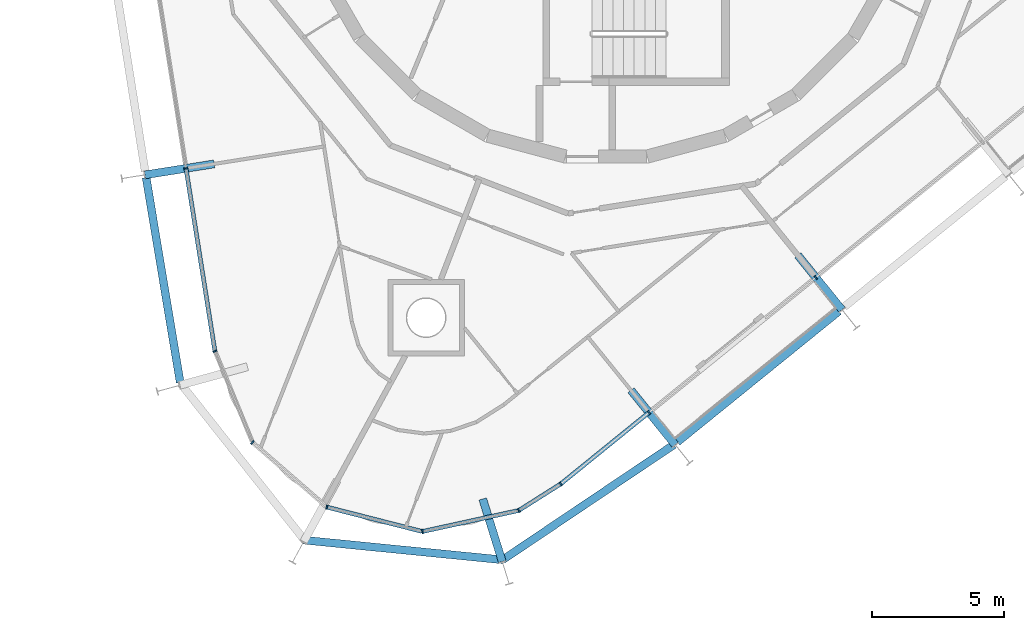
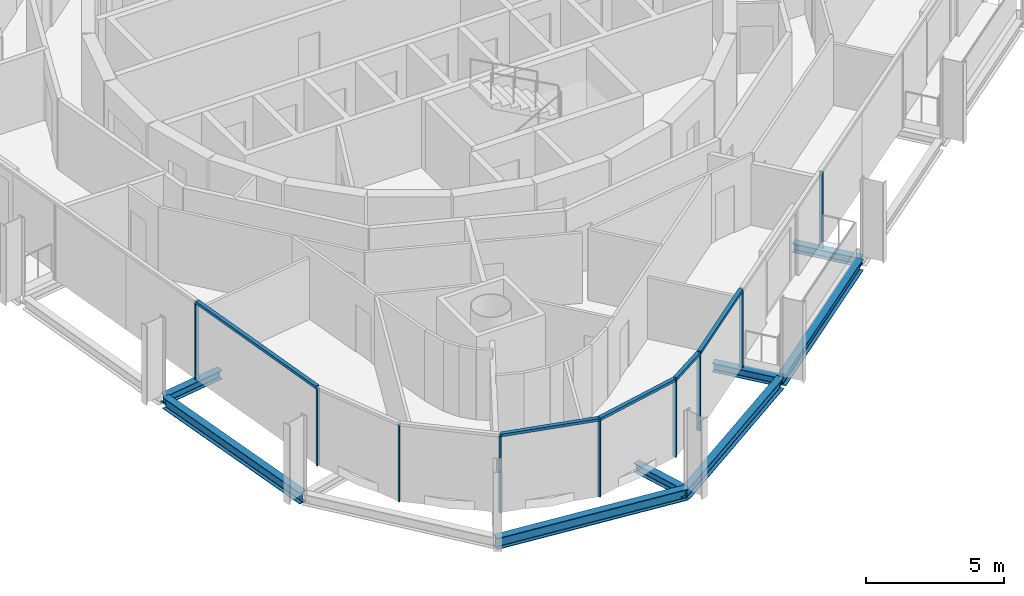
# One storey, part 2 of 17: 14 members, 8 beams, 2 elements without a shape of their own.
"""IFC4 building model written with IfcOpenShell, lengths in metres."""

import ifcopenshell
import ifcopenshell.guid

model = None  # the IFC model being written
_history = None  # IfcOwnerHistory: only IFC2X3 demands one
_inside = {}  # id of a spatial element -> (the spatial element, [elements in it])
_under = {}  # id of a project, library or spatial element -> (it, [spatial elements below it])
_declared = {}  # id of a project -> (the project, [libraries it declares])
_typed = {}  # id of a type object -> (the type object, [elements of that type])
_made_of = {}  # id of a material, layer set ... -> (it, [elements and type objects made of it])


def new_model(schema):
    """Start an empty IFC model of exactly this schema.

    Asked for "IFC4X3", IfcOpenShell would pick the latest addendum, in which some entities
    have other attributes; the version numbers below select the first issue.
    IFC2X3 requires an IfcOwnerHistory on every rooted entity: one is made here for all.
    """
    global model, _history
    if schema == "IFC4X3":
        model = ifcopenshell.file(schema_version=(4, 3, 0, 0))
    else:
        model = ifcopenshell.file(schema=schema)
    _inside.clear()
    _under.clear()
    _declared.clear()
    _typed.clear()
    _made_of.clear()
    _history = None
    if model.schema == "IFC2X3":
        org = make("IfcOrganization", Name="unknown")
        user = make(
            "IfcPersonAndOrganization",
            ThePerson=make("IfcPerson", FamilyName="unknown"),
            TheOrganization=org,
        )
        app = make(
            "IfcApplication",
            ApplicationDeveloper=org,
            Version="unknown",
            ApplicationFullName="unknown",
            ApplicationIdentifier="unknown",
        )
        _history = make(
            "IfcOwnerHistory",
            OwningUser=user,
            OwningApplication=app,
            ChangeAction="ADDED",
            CreationDate=0,
        )
    return model


def make(cls, **values):
    """One entity of the class cls with the attributes given. An attribute that is None is left unset."""
    return model.create_entity(
        cls, **{name: value for name, value in values.items() if value is not None}
    )


def rooted(cls, **values):
    """An entity with a GlobalId (a new one), such as an element, a storey or a relation."""
    return make(cls, GlobalId=ifcopenshell.guid.new(), OwnerHistory=_history, **values)


def si_unit(unit_type, name, prefix=None):
    """IfcSIUnit, for example si_unit("LENGTHUNIT", "METRE", prefix="MILLI")."""
    return make("IfcSIUnit", UnitType=unit_type, Prefix=prefix, Name=name)


def assignment(units):
    """IfcUnitAssignment: the units of a project."""
    return None if units is None else make("IfcUnitAssignment", Units=units)


def point(xyz):
    """IfcCartesianPoint."""
    return None if xyz is None else make("IfcCartesianPoint", Coordinates=xyz)


def direction(xyz):
    """IfcDirection."""
    return None if xyz is None else make("IfcDirection", DirectionRatios=xyz)


def frame(location, z_axis=None, x_axis=None):
    """IfcAxis2Placement3D, a coordinate frame: its origin and axes. An axis left out is left unset."""
    return make(
        "IfcAxis2Placement3D",
        Location=point(location),
        Axis=direction(z_axis),
        RefDirection=direction(x_axis),
    )


def frame_2d(location, x_axis=None):
    """IfcAxis2Placement2D, a coordinate frame in the plane: its origin and x axis."""
    return make(
        "IfcAxis2Placement2D", Location=point(location), RefDirection=direction(x_axis)
    )


def origin():
    """The frame at (0, 0, 0) with its axes left unset."""
    return frame((0.0, 0.0, 0.0))


def origin_2d():
    """The frame at (0, 0) in the plane with its x axis left unset."""
    return frame_2d((0.0, 0.0))


def place(relative_to, where):
    """IfcLocalPlacement: puts the frame where relative to a parent placement (None: the world)."""
    return make(
        "IfcLocalPlacement", PlacementRelTo=relative_to, RelativePlacement=where
    )


def context(
    kind, dimensions, precision=None, world=None, true_north=None, identifier=None
):
    """IfcGeometricRepresentationContext, for example the 3D "Model" context."""
    return make(
        "IfcGeometricRepresentationContext",
        ContextIdentifier=identifier,
        ContextType=kind,
        CoordinateSpaceDimension=dimensions,
        Precision=precision,
        WorldCoordinateSystem=world,
        TrueNorth=true_north,
    )


def subcontext(parent, identifier, kind, view, scale=None):
    """IfcGeometricRepresentationSubContext, for example "Body" below "Model"."""
    return make(
        "IfcGeometricRepresentationSubContext",
        ContextIdentifier=identifier,
        ContextType=kind,
        ParentContext=parent,
        TargetScale=scale,
        TargetView=view,
    )


def project(units=None, contexts=None):
    """IfcProject with its units and contexts."""
    return rooted(
        "IfcProject",
        Name="project",
        RepresentationContexts=contexts,
        UnitsInContext=assignment(units),
    )


def spatial(cls, under=None, at=None, **own):
    """A site, building, storey or space (cls), placed at a placement, below another one or the project."""
    s = rooted(cls, ObjectPlacement=at, **own)
    if under is not None:
        _under.setdefault(under.id(), (under, []))[1].append(s)
    return s


def profile(cls, at=None, kind="AREA", **sizes):
    """A parametric profile (cls). Its sizes go by their IFC names, for example OverallWidth=200.0."""
    return make(cls, ProfileType=kind, Position=at, **sizes)


def rectangle(**sizes):
    """IfcRectangleProfileDef."""
    return profile("IfcRectangleProfileDef", **sizes)


def i_section(**sizes):
    """IfcIShapeProfileDef."""
    return profile("IfcIShapeProfileDef", **sizes)


def extrude(swept, where, along, depth):
    """IfcExtrudedAreaSolid: the profile swept, set in the frame where, extruded along a direction by depth."""
    return make(
        "IfcExtrudedAreaSolid",
        SweptArea=swept,
        Position=where,
        ExtrudedDirection=direction(along),
        Depth=depth,
    )


def shape(context_of_items, identifier, shape_type, items):
    """IfcShapeRepresentation: the items that make up one representation, for example the "Body"."""
    return make(
        "IfcShapeRepresentation",
        ContextOfItems=context_of_items,
        RepresentationIdentifier=identifier,
        RepresentationType=shape_type,
        Items=items,
    )


def material(Name=None, Category=None):
    """IfcMaterial."""
    return make("IfcMaterial", Name=Name, Category=Category)


def layer(
    of_material, thickness, ventilated=None, Name=None, Category=None, Priority=None
):
    """IfcMaterialLayer: one layer of a wall or slab, of a material (None: an air gap)."""
    return make(
        "IfcMaterialLayer",
        Material=of_material,
        LayerThickness=thickness,
        IsVentilated=ventilated,
        Name=Name,
        Category=Category,
        Priority=Priority,
    )


def layer_set(layers, Name=None):
    """IfcMaterialLayerSet."""
    return make("IfcMaterialLayerSet", MaterialLayers=layers, LayerSetName=Name)


def material_profile(
    of_material, cross_section, Name=None, Category=None, Priority=None
):
    """IfcMaterialProfile: a cross section and its material."""
    return make(
        "IfcMaterialProfile",
        Name=Name,
        Material=of_material,
        Profile=cross_section,
        Priority=Priority,
        Category=Category,
    )


def profile_set(profiles, Name=None, composite=None):
    """IfcMaterialProfileSet."""
    return make(
        "IfcMaterialProfileSet",
        Name=Name,
        MaterialProfiles=profiles,
        CompositeProfile=composite,
    )


def made_of(thing, what):
    """Note that an element or type object is made of a material, layer set ...; save() writes the relation."""
    if what is not None:
        _made_of.setdefault(what.id(), (what, []))[1].append(thing)
    return thing


def type_object(cls, material=None, **own):
    """A type object (cls), such as IfcWallType, which elements share."""
    return made_of(rooted(cls, **own), material)


def element(
    cls,
    number,
    at=None,
    inside=None,
    cuts=None,
    type_object=None,
    material=None,
    context=None,
    identifier="Body",
    shape_type=None,
    held_by="IfcProductDefinitionShape",
    body=None,
    shapes=None,
    **own,
):
    """One element of the class cls, such as IfcWall. Its Tag is "e" and its number.

    at: its placement. inside: the storey or other place that contains it. cuts: it is an
    opening in that element (IfcRelVoidsElement). A single representation is given by context,
    identifier, shape_type and body (its items); several are given by shapes. held_by: the class
    of the entity that holds the representations. save() writes the other relations.
    """
    e = rooted(cls, Tag="e%d" % number, ObjectPlacement=at, **own)
    if body is not None:
        shapes = [shape(context, identifier, shape_type, body)]
    if shapes is not None:
        e.Representation = make(held_by, Representations=shapes)
    if inside is not None:
        _inside.setdefault(inside.id(), (inside, []))[1].append(e)
    if cuts is not None:
        rooted(
            "IfcRelVoidsElement", RelatingBuildingElement=cuts, RelatedOpeningElement=e
        )
    if type_object is not None:
        _typed.setdefault(type_object.id(), (type_object, []))[1].append(e)
    return made_of(e, material)


def aggregate(whole, parts):
    """IfcRelAggregates: a whole, such as a stair, and the parts it consists of."""
    return rooted("IfcRelAggregates", RelatingObject=whole, RelatedObjects=parts)


def save(model, path):
    """Write the relations noted so far, then the file.

    IfcRelAggregates (storeys below a building ...), IfcRelContainedInSpatialStructure (elements
    in a storey), IfcRelDefinesByType, IfcRelAssociatesMaterial and IfcRelDeclares: one each for
    every whole, place, type object, material and project.
    """
    for whole, parts in _under.values():
        aggregate(whole, parts)
    for where, things in _inside.values():
        rooted(
            "IfcRelContainedInSpatialStructure",
            RelatedElements=things,
            RelatingStructure=where,
        )
    for kind, things in _typed.values():
        rooted("IfcRelDefinesByType", RelatedObjects=things, RelatingType=kind)
    for what, things in _made_of.values():
        rooted("IfcRelAssociatesMaterial", RelatedObjects=things, RelatingMaterial=what)
    for by, libraries in _declared.values():
        rooted("IfcRelDeclares", RelatingContext=by, RelatedDefinitions=libraries)
    model.write(path)


model = new_model("IFC4")

# Units and contexts
model_context = context("Model", 3, precision=1e-05, world=origin(), true_north=direction((0.0, 1.0)))
body_context = subcontext(model_context, "Body", "Model", "MODEL_VIEW")
ifc_project = project(units=[si_unit("LENGTHUNIT", "METRE"), si_unit("AREAUNIT", "SQUARE_METRE"), si_unit("VOLUMEUNIT", "CUBIC_METRE"), si_unit("PLANEANGLEUNIT", "RADIAN"), si_unit("MASSUNIT", "GRAM", prefix="KILO")], contexts=[model_context])

# Site, building, storey
site_placement = place(None, origin())
site = spatial("IfcSite", under=ifc_project, at=site_placement, CompositionType="ELEMENT")
building_placement = place(site_placement, origin())
building = spatial("IfcBuilding", under=site, at=building_placement, Name="Spindle Arch Residences", CompositionType="ELEMENT")
storey_placement = place(building_placement, frame((0.0, 0.0, 270.39990234375)))
storey = spatial("IfcBuildingStorey", under=building, at=storey_placement, Name="L69", CompositionType="ELEMENT", Elevation=270.39990234375)

# Curtain wall, members
ifc_material_1 = material(Name="Aluminium bronze unitised frame with tinted glass", Category="aluminium")
ifc_layer_1 = layer(ifc_material_1, 0.159912109375)
ifc_layer_set_1 = layer_set([ifc_layer_1], Name="CW-D corner wall on the fillet arcs")
curtain_wall_type_1 = type_object("IfcCurtainWallType", Name="CW-D corner wall on the fillet arcs", PredefinedType="NOTDEFINED", material=ifc_layer_set_1)
curtain_wall_1_placement = place(storey_placement, origin())
curtain_wall_1 = element("IfcCurtainWall", 1, at=curtain_wall_1_placement, inside=storey, type_object=curtain_wall_type_1, Name="CW-D L69 run 5", PredefinedType="NOTDEFINED")
ifc_material_2 = material(Name="Aluminium bronze anodised mullion", Category="aluminium")
ifc_material_profile_1 = material_profile(ifc_material_2, rectangle(XDim=0.159912109375, YDim=0.06005859375, at=origin_2d()), Name="MU 60x160")
ifc_profile_set_1 = profile_set([ifc_material_profile_1], Name="Aluminium bronze anodised mullion")
member_type_1 = type_object("IfcMemberType", Name="Bronze mullion 60x160", PredefinedType="MULLION", material=ifc_profile_set_1)
member_1_placement = place(storey_placement, frame((-15.880615234375, -12.092041015625, -0.3798828125), z_axis=(0.0, 0.0, 1.0), x_axis=(0.987688340595, 0.15643446504, 0.0)))
member_1 = element("IfcMember", 2, at=member_1_placement, type_object=member_type_1, Name="CW-D mullion 00", PredefinedType="MULLION", context=body_context, shape_type="SweptSolid", body=[
    extrude(rectangle(XDim=0.159912109375, YDim=0.06005859375, at=origin_2d()), origin(), (0.0, 0.0, 1.0), 3.3798828125),
])
member_2_placement = place(storey_placement, frame((-14.787109375, -18.99560546875, -0.3798828125), z_axis=(0.0, 0.0, 1.0), x_axis=(0.92498880334, 0.379994360085, 0.0)))
member_2 = element("IfcMember", 3, at=member_2_placement, type_object=member_type_1, Name="CW-D mullion 01", PredefinedType="MULLION", context=body_context, shape_type="SweptSolid", body=[
    extrude(rectangle(XDim=0.159912109375, YDim=0.06005859375, at=origin_2d()), origin(), (0.0, 0.0, 1.0), 3.3798828125),
])
member_3_placement = place(storey_placement, frame((-13.370849609375, -22.44287109375, -0.3798828125), z_axis=(0.0, 0.0, 1.0), x_axis=(0.656059025711, 0.754709583074, 0.0)))
member_3 = element("IfcMember", 4, at=member_3_placement, type_object=member_type_1, Name="CW-D mullion 02", PredefinedType="MULLION", context=body_context, shape_type="SweptSolid", body=[
    extrude(rectangle(XDim=0.159912109375, YDim=0.06005859375, at=origin_2d()), origin(), (0.0, 0.0, 1.0), 3.3798828125),
])
member_4_placement = place(storey_placement, frame((-10.558349609375, -24.887939453125, -0.3798828125), z_axis=(0.0, 0.0, 1.0), x_axis=(0.247562720743, 0.968871869392, 0.0)))
member_4 = element("IfcMember", 5, at=member_4_placement, type_object=member_type_1, Name="CW-D mullion 03", PredefinedType="MULLION", context=body_context, shape_type="SweptSolid", body=[
    extrude(rectangle(XDim=0.159912109375, YDim=0.06005859375, at=origin_2d()), origin(), (0.0, 0.0, 1.0), 3.3798828125),
])
member_5_placement = place(storey_placement, frame((-6.947509765625, -25.810546875, -0.3798828125), z_axis=(0.0, 0.0, 1.0), x_axis=(-0.213598770213, 0.976921473489, 0.0)))
member_5 = element("IfcMember", 6, at=member_5_placement, type_object=member_type_1, Name="CW-D mullion 04", PredefinedType="MULLION", context=body_context, shape_type="SweptSolid", body=[
    extrude(rectangle(XDim=0.159912109375, YDim=0.06005859375, at=origin_2d()), origin(), (0.0, 0.0, 1.0), 3.3798828125),
])
member_6_placement = place(storey_placement, frame((-3.306884765625, -25.014404296875, -0.3798828125), z_axis=(0.0, 0.0, 1.0), x_axis=(-0.53484401224, 0.844950816658, 0.0)))
member_6 = element("IfcMember", 7, at=member_6_placement, type_object=member_type_1, Name="CW-D mullion 05", PredefinedType="MULLION", context=body_context, shape_type="SweptSolid", body=[
    extrude(rectangle(XDim=0.159912109375, YDim=0.06005859375, at=origin_2d()), origin(), (0.0, 0.0, 1.0), 3.3798828125),
])
member_7_placement = place(storey_placement, frame((-1.7216796875, -24.010986328125, -0.3798828125), z_axis=(0.0, 0.0, 1.0), x_axis=(-0.62932039105, 0.777145961457, 0.0)))
member_7 = element("IfcMember", 8, at=member_7_placement, type_object=member_type_1, Name="CW-D mullion 06", PredefinedType="MULLION", context=body_context, shape_type="SweptSolid", body=[
    extrude(rectangle(XDim=0.159912109375, YDim=0.06005859375, at=origin_2d()), origin(), (0.0, 0.0, 1.0), 3.3798828125),
])

ifc_material_3 = material(Name="Aluminium bronze unitised frame with tinted glass", Category="aluminium")
ifc_layer_2 = layer(ifc_material_3, 0.159912109375)
ifc_layer_set_2 = layer_set([ifc_layer_2], Name="CW-C typical residential unitised wall")
curtain_wall_type_2 = type_object("IfcCurtainWallType", Name="CW-C typical residential unitised wall", PredefinedType="NOTDEFINED", material=ifc_layer_set_2)
curtain_wall_2_placement = place(storey_placement, origin())
curtain_wall_2 = element("IfcCurtainWall", 9, at=curtain_wall_2_placement, inside=storey, type_object=curtain_wall_type_2, Name="CW-C L69 run 6", PredefinedType="NOTDEFINED")
member_8_placement = place(storey_placement, frame((1.610107421875, -21.31298828125, -0.3798828125), z_axis=(0.0, 0.0, 1.0), x_axis=(-0.62932039105, 0.777145961457, 0.0)))
member_8 = element("IfcMember", 10, at=member_8_placement, type_object=member_type_1, Name="CW-C mullion 18", PredefinedType="MULLION", context=body_context, shape_type="SweptSolid", body=[
    extrude(rectangle(XDim=0.159912109375, YDim=0.06005859375, at=origin_2d()), origin(), (0.0, 0.0, 1.0), 3.3798828125),
])
member_9_placement = place(storey_placement, frame((7.910888671875, -16.210693359375, -0.3798828125), z_axis=(0.0, 0.0, 1.0), x_axis=(-0.62932039105, 0.777145961457, 0.0)))
member_9 = element("IfcMember", 11, at=member_9_placement, type_object=member_type_1, Name="CW-C mullion 19", PredefinedType="MULLION", context=body_context, shape_type="SweptSolid", body=[
    extrude(rectangle(XDim=0.159912109375, YDim=0.06005859375, at=origin_2d()), origin(), (0.0, 0.0, 1.0), 3.3798828125),
])
aggregate(curtain_wall_2, [member_8, member_9])

# Member
ifc_material_4 = material(Name="Aluminium bronze anodised transom", Category="aluminium")
ifc_material_profile_2 = material_profile(ifc_material_4, rectangle(XDim=0.159912109375, YDim=0.1201171875, at=origin_2d()), Name="TR 120x160")
ifc_profile_set_2 = profile_set([ifc_material_profile_2], Name="Aluminium bronze anodised transom")
member_type_2 = type_object("IfcMemberType", Name="Bronze transom 120x160", PredefinedType="USERDEFINED", material=ifc_profile_set_2)
member_10_placement = place(storey_placement, frame((-15.875732421875, -12.12158203125, 3.06005859375), z_axis=(0.156423886955, -0.987690015941, 0.0), x_axis=(0.987690015941, 0.156423886955, 0.0)))
member_10 = element("IfcMember", 12, at=member_10_placement, type_object=member_type_2, Name="CW-D transom 00", ObjectType="TRANSOM", PredefinedType="USERDEFINED", context=body_context, shape_type="SweptSolid", body=[
    extrude(rectangle(XDim=0.159912109375, YDim=0.1201171875, at=origin_2d()), origin(), (0.0, 0.0, 1.0), 6.9296875),
])

member_11_placement = place(storey_placement, frame((-10.529296875, -24.895263671875, 3.06005859375), z_axis=(0.968876271824, -0.247545490561, 0.0), x_axis=(0.247545490561, 0.968876271824, 0.0)))
member_11 = element("IfcMember", 13, at=member_11_placement, type_object=member_type_2, Name="CW-D transom 03", ObjectType="TRANSOM", PredefinedType="USERDEFINED", context=body_context, shape_type="SweptSolid", body=[
    extrude(rectangle(XDim=0.159912109375, YDim=0.1201171875, at=origin_2d()), origin(), (0.0, 0.0, 1.0), 3.666748046875),
])

member_12_placement = place(storey_placement, frame((-6.918212890625, -25.803955078125, 3.06005859375), z_axis=(0.976920862917, 0.213601562721, 0.0), x_axis=(-0.213601562721, 0.976920862917, 0.0)))
member_12 = element("IfcMember", 14, at=member_12_placement, type_object=member_type_2, Name="CW-D transom 04", ObjectType="TRANSOM", PredefinedType="USERDEFINED", context=body_context, shape_type="SweptSolid", body=[
    extrude(rectangle(XDim=0.159912109375, YDim=0.1201171875, at=origin_2d()), origin(), (0.0, 0.0, 1.0), 3.666748046875),
])

member_13_placement = place(storey_placement, frame((-3.281494140625, -24.998291015625, 3.06005859375), z_axis=(0.844970968959, 0.534812174148, 0.0), x_axis=(-0.534812174148, 0.844970968959, 0.0)))
member_13 = element("IfcMember", 15, at=member_13_placement, type_object=member_type_2, Name="CW-D transom 05", ObjectType="TRANSOM", PredefinedType="USERDEFINED", context=body_context, shape_type="SweptSolid", body=[
    extrude(rectangle(XDim=0.159912109375, YDim=0.1201171875, at=origin_2d()), origin(), (0.0, 0.0, 1.0), 1.81591796875),
])

member_14_placement = place(storey_placement, frame((-1.6982421875, -23.9921875, 3.06005859375), z_axis=(0.777130537676, 0.629339437356, 0.0), x_axis=(-0.629339437356, 0.777130537676, 0.0)))
member_14 = element("IfcMember", 16, at=member_14_placement, type_object=member_type_2, Name="CW-D transom 06", ObjectType="TRANSOM", PredefinedType="USERDEFINED", context=body_context, shape_type="SweptSolid", body=[
    extrude(rectangle(XDim=0.159912109375, YDim=0.1201171875, at=origin_2d()), origin(), (0.0, 0.0, 1.0), 4.227294921875),
])

aggregate(curtain_wall_1, [member_1, member_10, member_2, member_3, member_4, member_11, member_5, member_12, member_6, member_13, member_7, member_14])

# Beams
ifc_material_5 = material(Name="Steel S460ML, intumescent coating R 120", Category="steel")
ifc_material_profile_3 = material_profile(ifc_material_5, i_section(OverallWidth=0.300048828125, OverallDepth=0.5, WebThickness=0.014404296875, FlangeThickness=0.028076171875, FilletRadius=0.027099609375, at=origin_2d()), Name="HEB 500")
ifc_profile_set_3 = profile_set([ifc_material_profile_3], Name="Steel S460ML, intumescent coating R 120")
beam_type_1 = type_object("IfcBeamType", Name="Exoskeleton edge beam HEB 500", PredefinedType="BEAM", material=ifc_profile_set_3)
beam_1_placement = place(storey_placement, frame((-17.385009765625, -12.43505859375, -0.6298828125), z_axis=(0.16393470778, -0.986471191462, 0.0), x_axis=(0.986471191462, 0.16393470778, 0.0)))
element("IfcBeam", 17, at=beam_1_placement, inside=storey, type_object=beam_type_1, Name="Exoskeleton edge beam 15", PredefinedType="BEAM", context=body_context, shape_type="SweptSolid", body=[
    extrude(i_section(OverallWidth=0.300048828125, OverallDepth=0.5, WebThickness=0.014404296875, FlangeThickness=0.028076171875, FilletRadius=0.027099609375, at=origin_2d()), origin(), (0.0, 0.0, 1.0), 7.845458984375),
])
beam_2_placement = place(storey_placement, frame((-11.474609375, -26.12890625, -0.6298828125), z_axis=(0.99510851629, -0.098787857593, 0.0), x_axis=(0.098787857593, 0.99510851629, 0.0)))
element("IfcBeam", 18, at=beam_2_placement, inside=storey, type_object=beam_type_1, Name="Exoskeleton edge beam 17", PredefinedType="BEAM", context=body_context, shape_type="SweptSolid", body=[
    extrude(i_section(OverallWidth=0.300048828125, OverallDepth=0.5, WebThickness=0.014404296875, FlangeThickness=0.028076171875, FilletRadius=0.027099609375, at=origin_2d()), origin(), (0.0, 0.0, 1.0), 7.631591796875),
])
beam_3_placement = place(storey_placement, frame((-3.9169921875, -26.877685546875, -0.6298828125), z_axis=(0.829907876947, 0.557900453291, 0.0), x_axis=(-0.557900453291, 0.829907876947, 0.0)))
element("IfcBeam", 19, at=beam_3_placement, inside=storey, type_object=beam_type_1, Name="Exoskeleton edge beam 18", PredefinedType="BEAM", context=body_context, shape_type="SweptSolid", body=[
    extrude(i_section(OverallWidth=0.300048828125, OverallDepth=0.5, WebThickness=0.014404296875, FlangeThickness=0.028076171875, FilletRadius=0.027099609375, at=origin_2d()), origin(), (0.0, 0.0, 1.0), 7.7890625),
])
beam_4_placement = place(storey_placement, frame((2.680419921875, -22.427978515625, -0.6298828125), z_axis=(0.777152125993, 0.629312778406, 0.0), x_axis=(-0.629312778406, 0.777152125993, 0.0)))
element("IfcBeam", 20, at=beam_4_placement, inside=storey, type_object=beam_type_1, Name="Exoskeleton edge beam 19", PredefinedType="BEAM", context=body_context, shape_type="SweptSolid", body=[
    extrude(i_section(OverallWidth=0.300048828125, OverallDepth=0.5, WebThickness=0.014404296875, FlangeThickness=0.028076171875, FilletRadius=0.027099609375, at=origin_2d()), origin(), (0.0, 0.0, 1.0), 7.847412109375),
])
ifc_material_6 = material(Name="Steel S460ML, intumescent coating R 120", Category="steel")
ifc_material_profile_4 = material_profile(ifc_material_6, i_section(OverallWidth=0.300048828125, OverallDepth=0.389892578125, WebThickness=0.010986328125, FlangeThickness=0.01904296875, FilletRadius=0.027099609375, at=origin_2d()), Name="HEA 400")
ifc_profile_set_4 = profile_set([ifc_material_profile_4], Name="Steel S460ML, intumescent coating R 120")
beam_type_2 = type_object("IfcBeamType", Name="Floor outrigger HEA 400", PredefinedType="BEAM", material=ifc_profile_set_4)
beam_5_placement = place(storey_placement, frame((-17.43115234375, -12.337646484375, -0.574951171875), z_axis=(0.987688904051, 0.156430907479, 0.0), x_axis=(-0.156430907479, 0.987688904051, 0.0)))
element("IfcBeam", 21, at=beam_5_placement, inside=storey, type_object=beam_type_2, Name="Floor outrigger 15", PredefinedType="BEAM", context=body_context, shape_type="SweptSolid", body=[
    extrude(i_section(OverallWidth=0.300048828125, OverallDepth=0.389892578125, WebThickness=0.010986328125, FlangeThickness=0.01904296875, FilletRadius=0.027099609375, at=origin_2d()), origin(), (0.0, 0.0, 1.0), 2.650146484375),
])
beam_6_placement = place(storey_placement, frame((-3.932373046875, -26.943603515625, -0.574951171875), z_axis=(-0.297848736129, 0.954613078889, 0.0), x_axis=(-0.954613078889, -0.297848736129, 0.0)))
element("IfcBeam", 22, at=beam_6_placement, inside=storey, type_object=beam_type_2, Name="Floor outrigger 18", PredefinedType="BEAM", context=body_context, shape_type="SweptSolid", body=[
    extrude(i_section(OverallWidth=0.300048828125, OverallDepth=0.389892578125, WebThickness=0.010986328125, FlangeThickness=0.01904296875, FilletRadius=0.027099609375, at=origin_2d()), origin(), (0.0, 0.0, 1.0), 2.478759765625),
])
for number, where, z_axis, x_axis, name in (
    (23, (2.59814453125, -22.533203125, -0.574951171875), (-0.629301579077, 0.777161194715, 0.0), (-0.777161194715, -0.629301579077, 0.0), "Floor outrigger 19"),
    (24, (8.89892578125, -17.430908203125, -0.574951171875), (-0.629301579077, 0.777161194715, 0.0), (-0.777161194715, -0.629301579077, 0.0), "Floor outrigger 20"),
):
    element("IfcBeam", number, at=place(storey_placement, frame(where, z_axis=z_axis, x_axis=x_axis)), inside=storey, type_object=beam_type_2, Name=name, PredefinedType="BEAM", context=body_context, shape_type="SweptSolid", body=[
        extrude(i_section(OverallWidth=0.300048828125, OverallDepth=0.389892578125, WebThickness=0.010986328125, FlangeThickness=0.01904296875, FilletRadius=0.027099609375, at=origin_2d()), origin(), (0.0, 0.0, 1.0), 2.650146484375),
    ])

save(model, "model.ifc")
